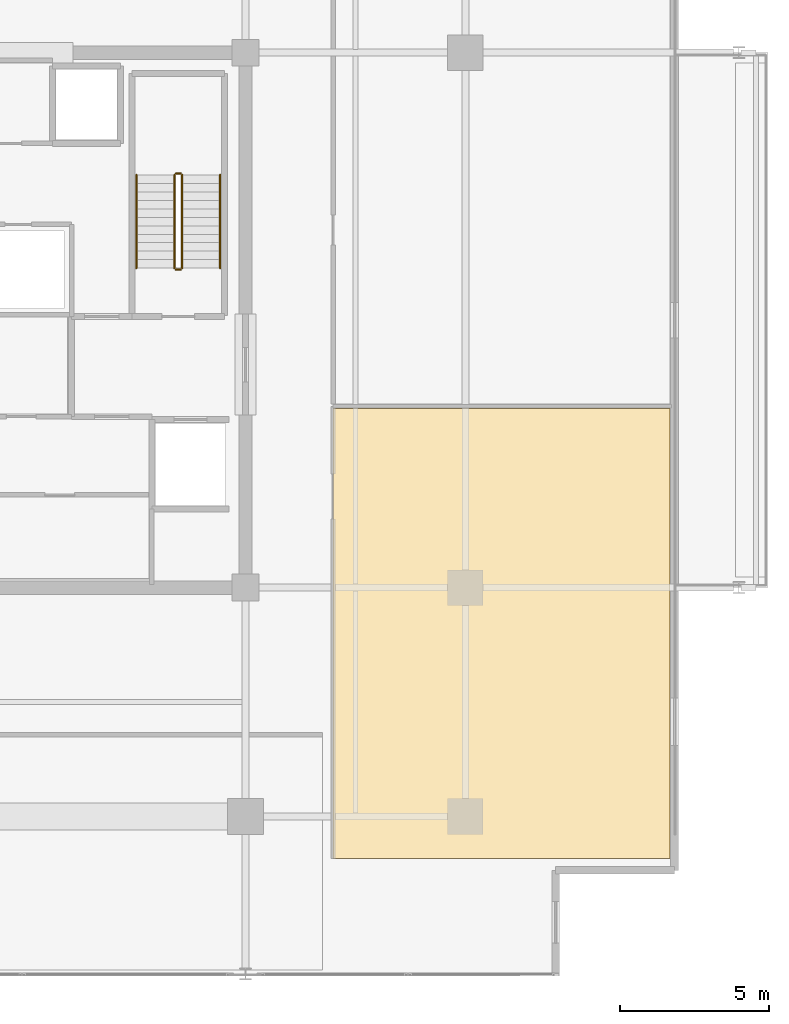
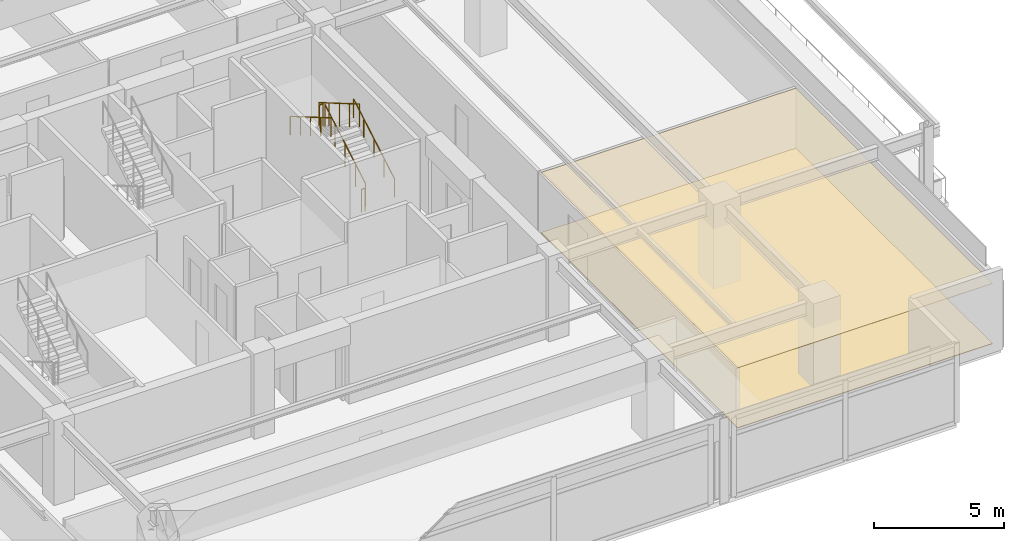
# One storey, part 19 of 20: 6 railings, 2 coverings.
"""IFC4 building model written with IfcOpenShell, lengths in metres."""

from ifc_helpers import new_model, si_unit, direction, frame, origin, origin_2d, place, context, subcontext, project, spatial, polyline, circle, outline, extrude, material, layer, layer_set, type_object, element, save


model = new_model("IFC4")

# Units and contexts
model_context = context("Model", 3, precision=1e-05, world=origin(), true_north=direction((0.0, 1.0)))
body_context = subcontext(model_context, "Body", "Model", "MODEL_VIEW")
ifc_project = project(units=[si_unit("LENGTHUNIT", "METRE"), si_unit("AREAUNIT", "SQUARE_METRE"), si_unit("VOLUMEUNIT", "CUBIC_METRE"), si_unit("PLANEANGLEUNIT", "RADIAN"), si_unit("MASSUNIT", "GRAM", prefix="KILO")], contexts=[model_context])

# Site, building, storey
site_placement = place(None, origin())
site = spatial("IfcSite", under=ifc_project, at=site_placement, CompositionType="ELEMENT")
building_placement = place(site_placement, origin())
building = spatial("IfcBuilding", under=site, at=building_placement, Name="Kovane Verandah Tower", CompositionType="ELEMENT")
storey_placement = place(building_placement, frame((0.0, 0.0, 287.199951171875)))
storey = spatial("IfcBuildingStorey", under=building, at=storey_placement, Name="L67", CompositionType="ELEMENT", Elevation=287.199951171875)

# Coverings
ifc_material_1 = material(Name="Perforated Acoustic Mineral-Fibre Ceiling Tile", Category="gypsum")
ifc_layer_1 = layer(ifc_material_1, 0.02490234375)
ifc_layer_set_1 = layer_set([ifc_layer_1], Name="Perforated Acoustic Mineral-Fibre Ceiling Tile")
covering_type_1 = type_object("IfcCoveringType", Name="CV-CEIL-25", PredefinedType="CEILING", material=ifc_layer_set_1)
covering_1_placement = place(storey_placement, frame((0.0, 0.0, 2.824951171875)))
element("IfcCovering", 1, at=covering_1_placement, inside=storey, type_object=covering_type_1, Name="L67 Client Boardroom E1 Acoustic Ceiling", PredefinedType="CEILING", context=body_context, shape_type="SweptSolid", body=[
    extrude(outline(polyline([(53.949951171875, 9.3857421875), (65.287353515625, 9.3857421875), (65.287353515625, 24.53173828125), (53.949951171875, 24.53173828125), (53.949951171875, 9.3857421875)])), origin(), (0.0, 0.0, 1.0), 0.025146484375),
])
ifc_material_2 = material(Name="Polished Terrazzo and Raised-Access Carpet Tile Finish", Category="concrete")
ifc_layer_2 = layer(ifc_material_2, 0.030029296875)
ifc_layer_set_2 = layer_set([ifc_layer_2], Name="Polished Terrazzo and Raised-Access Carpet Tile Finish")
covering_type_2 = type_object("IfcCoveringType", Name="CV-FLOR-30", PredefinedType="FLOORING", material=ifc_layer_set_2)
covering_2_placement = place(storey_placement, origin())
element("IfcCovering", 2, at=covering_2_placement, inside=storey, type_object=covering_type_2, Name="L67 Client Boardroom E1 Floor Finish", PredefinedType="FLOORING", context=body_context, shape_type="SweptSolid", body=[
    extrude(outline(polyline([(53.949951171875, 9.3857421875), (65.287353515625, 9.3857421875), (65.287353515625, 24.53173828125), (53.949951171875, 24.53173828125), (53.949951171875, 9.3857421875)])), origin(), (0.0, 0.0, 1.0), 0.030029296875),
])

# Railings
ifc_material_3 = material(Name="Brushed Stainless Steel Handrail", Category="steel")
railing_type_1 = type_object("IfcRailingType", Name="RL-HAND-920", PredefinedType="HANDRAIL", material=ifc_material_3)
railing_1_placement = place(storey_placement, frame((50.14990234375, 29.25, 0.166748046875)))
element("IfcRailing", 3, at=railing_1_placement, inside=storey, type_object=railing_type_1, Name="L67 ST-02 stair handrail 1", PredefinedType="HANDRAIL", context=body_context, shape_type="SweptSolid", body=[
    extrude(circle(Radius=0.02392578125, at=origin_2d()), frame((0.0, 0.0, 0.8759765625), z_axis=(0.0, 0.863239559939, 0.504794475164), x_axis=(-1.0, 0.0, 0.0)), (0.0, 0.0, 1.0), 3.631591796875),
    extrude(circle(Radius=0.02099609375, at=origin_2d()), origin(), (0.0, 0.0, 1.0), 0.851806640625),
    extrude(circle(Radius=0.02099609375, at=origin_2d()), frame((0.0, 0.78369140625, 0.458251953125)), (0.0, 0.0, 1.0), 0.851806640625),
    extrude(circle(Radius=0.02099609375, at=origin_2d()), frame((0.0, 1.5673828125, 0.91650390625)), (0.0, 0.0, 1.0), 0.851806640625),
    extrude(circle(Radius=0.02099609375, at=origin_2d()), frame((0.0, 2.351318359375, 1.375)), (0.0, 0.0, 1.0), 0.851806640625),
    extrude(circle(Radius=0.02099609375, at=origin_2d()), frame((0.0, 3.135009765625, 1.833251953125)), (0.0, 0.0, 1.0), 0.851806640625),
])
railing_2_placement = place(storey_placement, frame((47.330078125, 32.385009765625, 2.166748046875)))
element("IfcRailing", 4, at=railing_2_placement, inside=storey, type_object=railing_type_1, Name="L67 ST-02 stair handrail 2", PredefinedType="HANDRAIL", context=body_context, shape_type="SweptSolid", body=[
    extrude(circle(Radius=0.02392578125, at=origin_2d()), frame((0.0, 0.0, 0.8759765625), z_axis=(0.0, -0.863239559939, 0.504794475164), x_axis=(1.0, 0.0, 0.0)), (0.0, 0.0, 1.0), 3.631591796875),
    extrude(circle(Radius=0.02099609375, at=origin_2d()), origin(), (0.0, 0.0, 1.0), 0.851806640625),
    extrude(circle(Radius=0.02099609375, at=origin_2d()), frame((0.0, -0.78369140625, 0.458251953125)), (0.0, 0.0, 1.0), 0.851806640625),
    extrude(circle(Radius=0.02099609375, at=origin_2d()), frame((0.0, -1.5673828125, 0.91650390625)), (0.0, 0.0, 1.0), 0.851806640625),
    extrude(circle(Radius=0.02099609375, at=origin_2d()), frame((0.0, -2.351318359375, 1.375)), (0.0, 0.0, 1.0), 0.851806640625),
    extrude(circle(Radius=0.02099609375, at=origin_2d()), frame((0.0, -3.135009765625, 1.833251953125)), (0.0, 0.0, 1.0), 0.851806640625),
])
ifc_material_4 = material(Name="Painted Steel Stairwell Guardrail", Category="steel")
railing_type_2 = type_object("IfcRailingType", Name="RL-STGUARD-1120", PredefinedType="GUARDRAIL", material=ifc_material_4)
railing_3_placement = place(storey_placement, frame((48.8701171875, 29.25, 0.166748046875)))
element("IfcRailing", 5, at=railing_3_placement, inside=storey, type_object=railing_type_2, Name="L67 ST-02 stair guard 1", PredefinedType="GUARDRAIL", context=body_context, shape_type="SweptSolid", body=[
    extrude(circle(Radius=0.02392578125, at=origin_2d()), frame((0.0, 0.0, 1.076171875), z_axis=(0.0, 0.863239559939, 0.504794475164), x_axis=(-1.0, 0.0, 0.0)), (0.0, 0.0, 1.0), 3.631591796875),
    extrude(circle(Radius=0.02099609375, at=origin_2d()), origin(), (0.0, 0.0, 1.0), 1.052001953125),
    extrude(circle(Radius=0.02099609375, at=origin_2d()), frame((0.0, 0.78369140625, 0.458251953125)), (0.0, 0.0, 1.0), 1.052001953125),
    extrude(circle(Radius=0.02099609375, at=origin_2d()), frame((0.0, 1.5673828125, 0.91650390625)), (0.0, 0.0, 1.0), 1.052001953125),
    extrude(circle(Radius=0.02099609375, at=origin_2d()), frame((0.0, 2.351318359375, 1.375)), (0.0, 0.0, 1.0), 1.052001953125),
    extrude(circle(Radius=0.02099609375, at=origin_2d()), frame((0.0, 3.135009765625, 1.833251953125)), (0.0, 0.0, 1.0), 1.052001953125),
])
railing_4_placement = place(storey_placement, frame((48.820068359375, 32.43505859375, 2.0)))
element("IfcRailing", 6, at=railing_4_placement, inside=storey, type_object=railing_type_2, Name="L67 ST-02 stair guard 2", PredefinedType="GUARDRAIL", context=body_context, shape_type="SweptSolid", body=[
    extrude(circle(Radius=0.02392578125, at=origin_2d()), frame((0.0, 0.0, 1.076171875), z_axis=(-1.0, 0.0, 0.0), x_axis=(0.0, -1.0, 0.0)), (0.0, 0.0, 1.0), 0.16015625),
    extrude(circle(Radius=0.02099609375, at=origin_2d()), origin(), (0.0, 0.0, 1.0), 1.052001953125),
    extrude(circle(Radius=0.02099609375, at=origin_2d()), frame((-0.16015625, 0.0, 0.0)), (0.0, 0.0, 1.0), 1.052001953125),
])
railing_5_placement = place(storey_placement, frame((48.610107421875, 32.385009765625, 2.166748046875)))
element("IfcRailing", 7, at=railing_5_placement, inside=storey, type_object=railing_type_2, Name="L67 ST-02 stair guard 3", PredefinedType="GUARDRAIL", context=body_context, shape_type="SweptSolid", body=[
    extrude(circle(Radius=0.02392578125, at=origin_2d()), frame((0.0, 0.0, 1.076171875), z_axis=(0.0, -0.863239559939, 0.504794475164), x_axis=(1.0, 0.0, 0.0)), (0.0, 0.0, 1.0), 3.631591796875),
    extrude(circle(Radius=0.02099609375, at=origin_2d()), origin(), (0.0, 0.0, 1.0), 1.052001953125),
    extrude(circle(Radius=0.02099609375, at=origin_2d()), frame((0.0, -0.78369140625, 0.458251953125)), (0.0, 0.0, 1.0), 1.052001953125),
    extrude(circle(Radius=0.02099609375, at=origin_2d()), frame((0.0, -1.5673828125, 0.91650390625)), (0.0, 0.0, 1.0), 1.052001953125),
    extrude(circle(Radius=0.02099609375, at=origin_2d()), frame((0.0, -2.351318359375, 1.375)), (0.0, 0.0, 1.0), 1.052001953125),
    extrude(circle(Radius=0.02099609375, at=origin_2d()), frame((0.0, -3.135009765625, 1.833251953125)), (0.0, 0.0, 1.0), 1.052001953125),
])
railing_6_placement = place(storey_placement, frame((48.820068359375, 29.199951171875, 0.0)))
element("IfcRailing", 8, at=railing_6_placement, inside=storey, type_object=railing_type_2, Name="L67 ST-02 stair guard 4", PredefinedType="GUARDRAIL", context=body_context, shape_type="SweptSolid", body=[
    extrude(circle(Radius=0.02392578125, at=origin_2d()), frame((0.0, 0.0, 1.076171875), z_axis=(-1.0, 0.0, 0.0), x_axis=(0.0, -1.0, 0.0)), (0.0, 0.0, 1.0), 0.16015625),
    extrude(circle(Radius=0.02099609375, at=origin_2d()), origin(), (0.0, 0.0, 1.0), 1.052001953125),
    extrude(circle(Radius=0.02099609375, at=origin_2d()), frame((-0.16015625, 0.0, 0.0)), (0.0, 0.0, 1.0), 1.052001953125),
])

save(model, "model.ifc")
